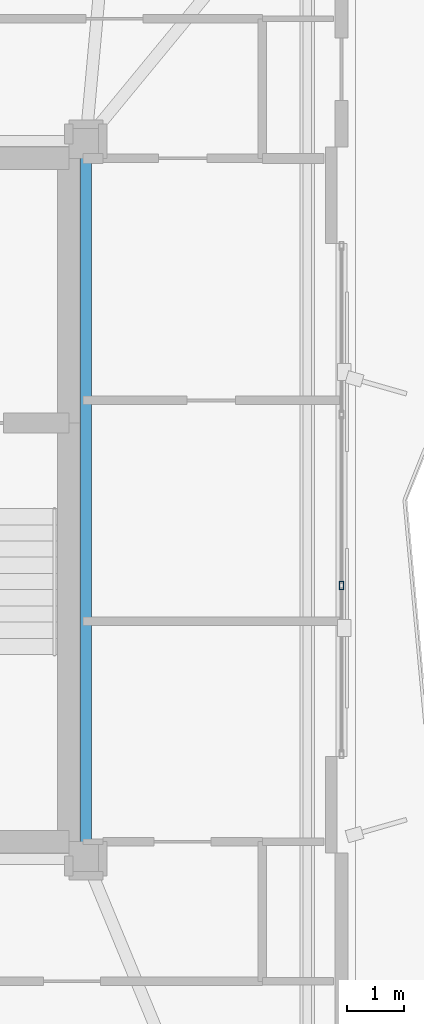
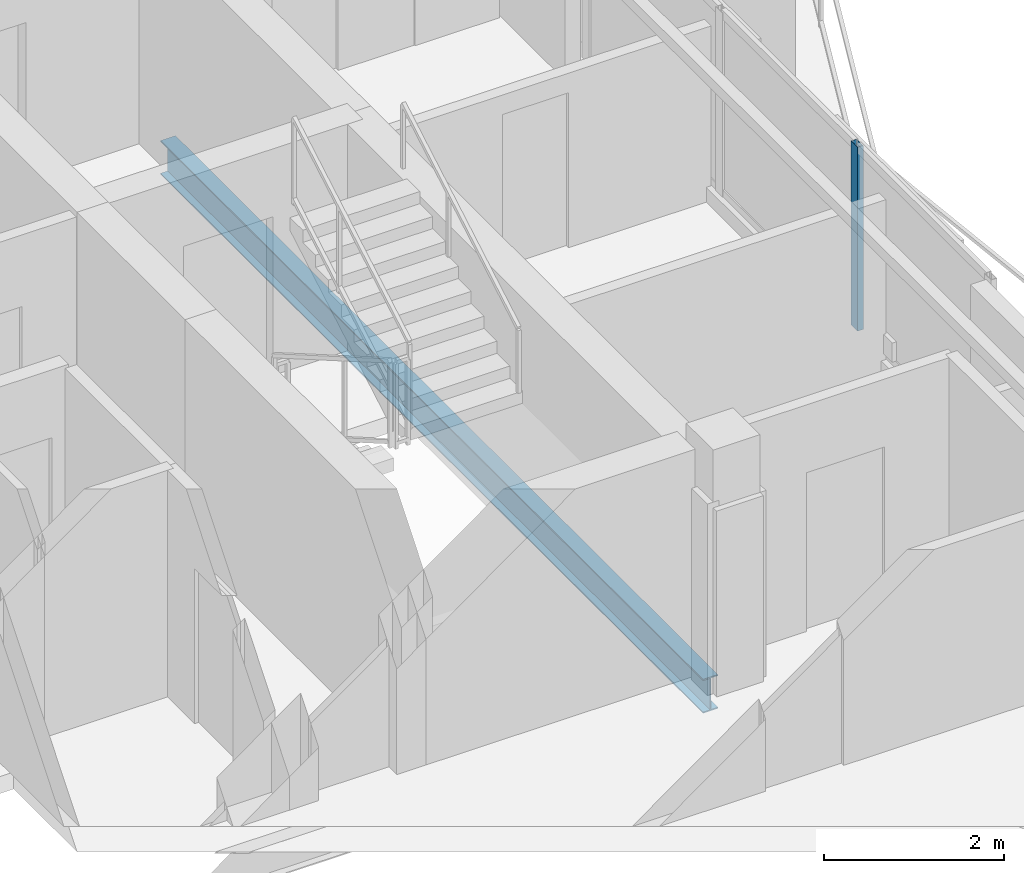
# One storey, part 11 of 21: 1 beam, 1 member, 1 element without a shape of its own.
"""IFC4 building model written with IfcOpenShell, lengths in metres."""

from ifc_helpers import new_model, si_unit, direction, frame, origin, origin_2d, place, context, subcontext, project, spatial, hollow_rectangle, i_section, extrude, material, layer, layer_set, material_profile, profile_set, type_object, element, aggregate, save


model = new_model("IFC4")

# Units and contexts
model_context = context("Model", 3, precision=1e-05, world=origin(), true_north=direction((0.0, 1.0)))
body_context = subcontext(model_context, "Body", "Model", "MODEL_VIEW")
ifc_project = project(units=[si_unit("LENGTHUNIT", "METRE"), si_unit("AREAUNIT", "SQUARE_METRE"), si_unit("VOLUMEUNIT", "CUBIC_METRE"), si_unit("PLANEANGLEUNIT", "RADIAN"), si_unit("MASSUNIT", "GRAM", prefix="KILO")], contexts=[model_context])

# Site, building, storey
site_placement = place(None, origin())
site = spatial("IfcSite", under=ifc_project, at=site_placement, CompositionType="ELEMENT")
building_placement = place(site_placement, origin())
building = spatial("IfcBuilding", under=site, at=building_placement, Name="Mersakhor Tower and Convention Hall", CompositionType="ELEMENT")
storey_placement = place(building_placement, frame((0.0, 0.0, 211.800048828125)))
storey = spatial("IfcBuildingStorey", under=building, at=storey_placement, Name="L59", CompositionType="ELEMENT", Elevation=211.800048828125)

# Beam
ifc_material_1 = material(Name="Steel S355", Category="steel")
ifc_material_profile_1 = material_profile(ifc_material_1, i_section(OverallWidth=0.19140625, OverallDepth=0.4599609375, WebThickness=0.010009765625, FlangeThickness=0.01611328125, at=origin_2d()), Name="UB 457x191x82")
ifc_profile_set_1 = profile_set([ifc_material_profile_1], Name="Steel S355")
beam_type = type_object("IfcBeamType", Name="BM-FB-457", PredefinedType="BEAM", material=ifc_profile_set_1)
beam_placement = place(storey_placement, frame((36.10009765625, 32.77001953125, -0.4599609375), z_axis=(0.0, -1.0, 0.0), x_axis=(1.0, 0.0, 0.0)))
element("IfcBeam", 1, at=beam_placement, inside=storey, type_object=beam_type, Name="L59 Core Ring Tie Beam CRB-3", PredefinedType="BEAM", context=body_context, shape_type="SweptSolid", body=[
    extrude(i_section(OverallWidth=0.19140625, OverallDepth=0.4599609375, WebThickness=0.010009765625, FlangeThickness=0.01611328125, at=origin_2d()), origin(), (0.0, 0.0, 1.0), 12.0400390625),
])

# Curtain wall, member
ifc_material_2 = material(Name="Dark solar low-E aluminium curtain wall", Category="aluminium")
ifc_layer = layer(ifc_material_2, 0.169921875)
ifc_layer_set = layer_set([ifc_layer], Name="Dark solar low-E aluminium curtain wall")
curtain_wall_type = type_object("IfcCurtainWallType", Name="CW-SYS-02", PredefinedType="USERDEFINED", material=ifc_layer_set)
curtain_wall_placement = place(storey_placement, origin())
curtain_wall = element("IfcCurtainWall", 2, at=curtain_wall_placement, inside=storey, type_object=curtain_wall_type, Name="L59 Dark-Glass Curtain Wall F2-B2", ObjectType="CURTAIN WALL", PredefinedType="USERDEFINED")
ifc_material_3 = material(Name="Anodised aluminium EN AW-6063 T6", Category="aluminium")
ifc_material_profile_2 = material_profile(ifc_material_3, hollow_rectangle(XDim=0.074951171875, YDim=0.14990234375, WallThickness=0.00634765625, at=origin_2d()), Name="RHS 150x75x6.3")
ifc_profile_set_2 = profile_set([ifc_material_profile_2], Name="Anodised aluminium EN AW-6063 T6")
member_type = type_object("IfcMemberType", Name="CWM-150x75", PredefinedType="MULLION", material=ifc_profile_set_2)
member_placement = place(storey_placement, frame((40.58837890625, 25.250244140625, 0.199951171875), z_axis=(0.0, 0.0, 1.0), x_axis=(1.0, 0.0, 0.0)))
member = element("IfcMember", 3, at=member_placement, type_object=member_type, Name="CW-02 mullion 3", PredefinedType="MULLION", context=body_context, shape_type="SweptSolid", body=[
    extrude(hollow_rectangle(XDim=0.074951171875, YDim=0.14990234375, WallThickness=0.00634765625, at=origin_2d()), origin(), (0.0, 0.0, 1.0), 2.489990234375),
])
aggregate(curtain_wall, [member])

save(model, "model.ifc")
